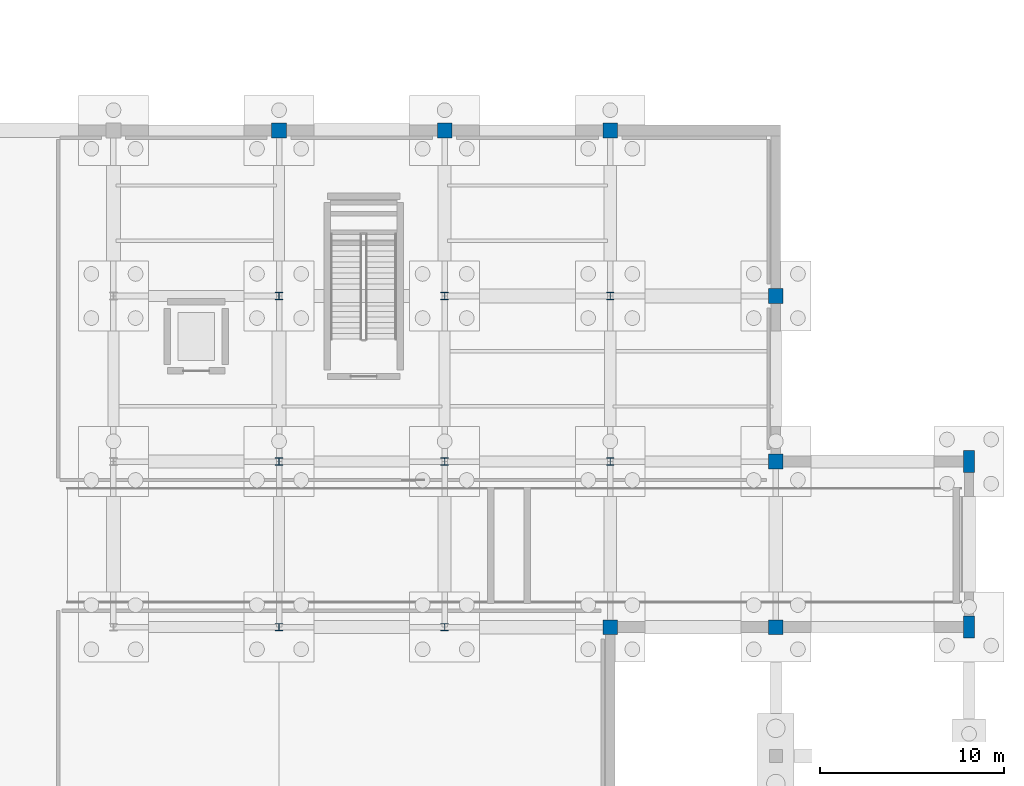
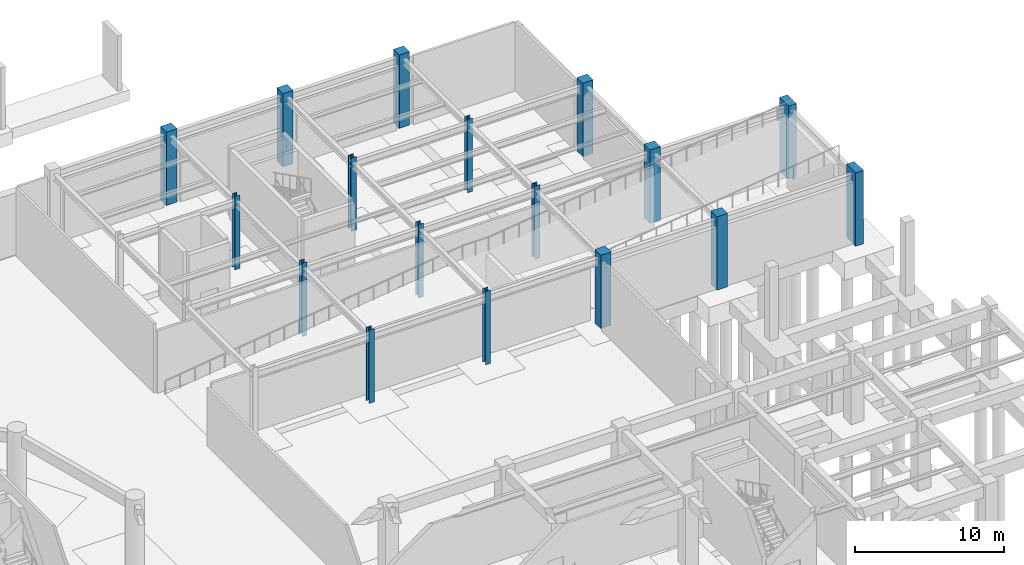
# One storey, part 12 of 36: 17 columns.
"""IFC4 building model written with IfcOpenShell, lengths in metres."""

from ifc_helpers import new_model, si_unit, direction, frame, origin, origin_2d, place, context, subcontext, project, spatial, rectangle, i_section, extrude, material, material_profile, profile_set, type_object, element, save


model = new_model("IFC4")

# Units and contexts
model_context = context("Model", 3, precision=1e-05, world=origin(), true_north=direction((0.0, 1.0)))
body_context = subcontext(model_context, "Body", "Model", "MODEL_VIEW")
ifc_project = project(units=[si_unit("LENGTHUNIT", "METRE"), si_unit("AREAUNIT", "SQUARE_METRE"), si_unit("VOLUMEUNIT", "CUBIC_METRE"), si_unit("PLANEANGLEUNIT", "RADIAN"), si_unit("MASSUNIT", "GRAM", prefix="KILO")], contexts=[model_context])

# Site, building, storey
site_placement = place(None, origin())
site = spatial("IfcSite", under=ifc_project, at=site_placement, CompositionType="ELEMENT")
building_placement = place(site_placement, origin())
building = spatial("IfcBuilding", under=site, at=building_placement, Name="Haizhuo Lancet Aquarium", CompositionType="ELEMENT")
storey_placement = place(building_placement, frame((0.0, 0.0, -6.0)))
storey = spatial("IfcBuildingStorey", under=building, at=storey_placement, Name="B1", CompositionType="ELEMENT", Elevation=-6.0)

# Columns
ifc_material_1 = material(Name="Concrete C40/50", Category="concrete")
ifc_material_profile_1 = material_profile(ifc_material_1, rectangle(XDim=0.800048828125, YDim=0.800048828125, at=origin_2d()), Name="RC-COL 800x800")
ifc_profile_set_1 = profile_set([ifc_material_profile_1], Name="Concrete C40/50")
column_type_1 = type_object("IfcColumnType", Name="COL-RC-800", PredefinedType="COLUMN", material=ifc_profile_set_1)
for number, where, z_axis, x_axis, name in (
    (1, (45.0, 36.0, 0.0), (0.0, 0.0, 1.0), (1.0, 0.0, 0.0), "B1 column V7-COL-135"),
    (2, (54.0, 36.0, 0.0), (0.0, 0.0, 1.0), (1.0, 0.0, 0.0), "B1 column V7-COL-139"),
    (3, (63.0, 9.0, 0.0), (0.0, 0.0, 1.0), (1.0, 0.0, 0.0), "B1 column V7-COL-140"),
    (4, (63.0, 36.0, 0.0), (0.0, 0.0, 1.0), (1.0, 0.0, 0.0), "B1 column V7-COL-143"),
    (5, (72.0, 9.0, 0.0), (0.0, 0.0, 1.0), (1.0, 0.0, 0.0), "B1 column V7-COL-144"),
    (6, (72.0, 18.0, 0.0), (0.0, 0.0, 1.0), (1.0, 0.0, 0.0), "B1 column V7-COL-145"),
    (7, (72.0, 27.0, 0.0), (0.0, 0.0, 1.0), (1.0, 0.0, 0.0), "B1 column V7-COL-146"),
):
    element("IfcColumn", number, at=place(storey_placement, frame(where, z_axis=z_axis, x_axis=x_axis)), inside=storey, type_object=column_type_1, Name=name, PredefinedType="COLUMN", context=body_context, shape_type="SweptSolid", body=[
        extrude(rectangle(XDim=0.800048828125, YDim=0.800048828125, at=origin_2d()), origin(), (0.0, 0.0, 1.0), 6.0),
    ])
ifc_material_2 = material(Name="Steel S355", Category="steel")
ifc_material_profile_2 = material_profile(ifc_material_2, i_section(OverallWidth=0.39990234375, OverallDepth=0.39990234375, WebThickness=0.012939453125, FlangeThickness=0.02099609375, FilletRadius=0.02197265625, at=origin_2d()), Name="HW 400x400x13x21")
ifc_profile_set_2 = profile_set([ifc_material_profile_2], Name="Steel S355")
column_type_2 = type_object("IfcColumnType", Name="COL-ST-HW400", PredefinedType="COLUMN", material=ifc_profile_set_2)
for number, where, z_axis, x_axis, name in (
    (8, (45.0, 9.0, 0.0), (0.0, 0.0, 1.0), (1.0, 0.0, 0.0), "B1 column V7-COL-132"),
    (9, (45.0, 18.0, 0.0), (0.0, 0.0, 1.0), (1.0, 0.0, 0.0), "B1 column V7-COL-133"),
    (10, (45.0, 27.0, 0.0), (0.0, 0.0, 1.0), (1.0, 0.0, 0.0), "B1 column V7-COL-134"),
    (11, (54.0, 9.0, 0.0), (0.0, 0.0, 1.0), (1.0, 0.0, 0.0), "B1 column V7-COL-136"),
    (12, (54.0, 18.0, 0.0), (0.0, 0.0, 1.0), (1.0, 0.0, 0.0), "B1 column V7-COL-137"),
    (13, (54.0, 27.0, 0.0), (0.0, 0.0, 1.0), (1.0, 0.0, 0.0), "B1 column V7-COL-138"),
    (14, (63.0, 18.0, 0.0), (0.0, 0.0, 1.0), (1.0, 0.0, 0.0), "B1 column V7-COL-141"),
    (15, (63.0, 27.0, 0.0), (0.0, 0.0, 1.0), (1.0, 0.0, 0.0), "B1 column V7-COL-142"),
):
    element("IfcColumn", number, at=place(storey_placement, frame(where, z_axis=z_axis, x_axis=x_axis)), inside=storey, type_object=column_type_2, Name=name, PredefinedType="COLUMN", context=body_context, shape_type="SweptSolid", body=[
        extrude(i_section(OverallWidth=0.39990234375, OverallDepth=0.39990234375, WebThickness=0.012939453125, FlangeThickness=0.02099609375, FilletRadius=0.02197265625, at=origin_2d()), origin(), (0.0, 0.0, 1.0), 6.0),
    ])
ifc_material_3 = material(Name="Concrete C45/55", Category="concrete")
ifc_material_profile_3 = material_profile(ifc_material_3, rectangle(XDim=0.60009765625, YDim=1.199951171875, at=origin_2d()), Name="RC-PIL 600x1200")
ifc_profile_set_3 = profile_set([ifc_material_profile_3], Name="Concrete C45/55")
column_type_3 = type_object("IfcColumnType", Name="PIL-RC-600x1200", PredefinedType="PILASTER", material=ifc_profile_set_3)
for number, where, z_axis, x_axis, name in (
    (16, (82.5, 9.0, 0.0), (0.0, 0.0, 1.0), (1.0, 0.0, 0.0), "B1 column V7-COL-147"),
    (17, (82.5, 18.0, 0.0), (0.0, 0.0, 1.0), (1.0, 0.0, 0.0), "B1 column V7-COL-148"),
):
    element("IfcColumn", number, at=place(storey_placement, frame(where, z_axis=z_axis, x_axis=x_axis)), inside=storey, type_object=column_type_3, Name=name, PredefinedType="PILASTER", context=body_context, shape_type="SweptSolid", body=[
        extrude(rectangle(XDim=0.60009765625, YDim=1.199951171875, at=origin_2d()), origin(), (0.0, 0.0, 1.0), 6.0),
    ])

save(model, "model.ifc")
